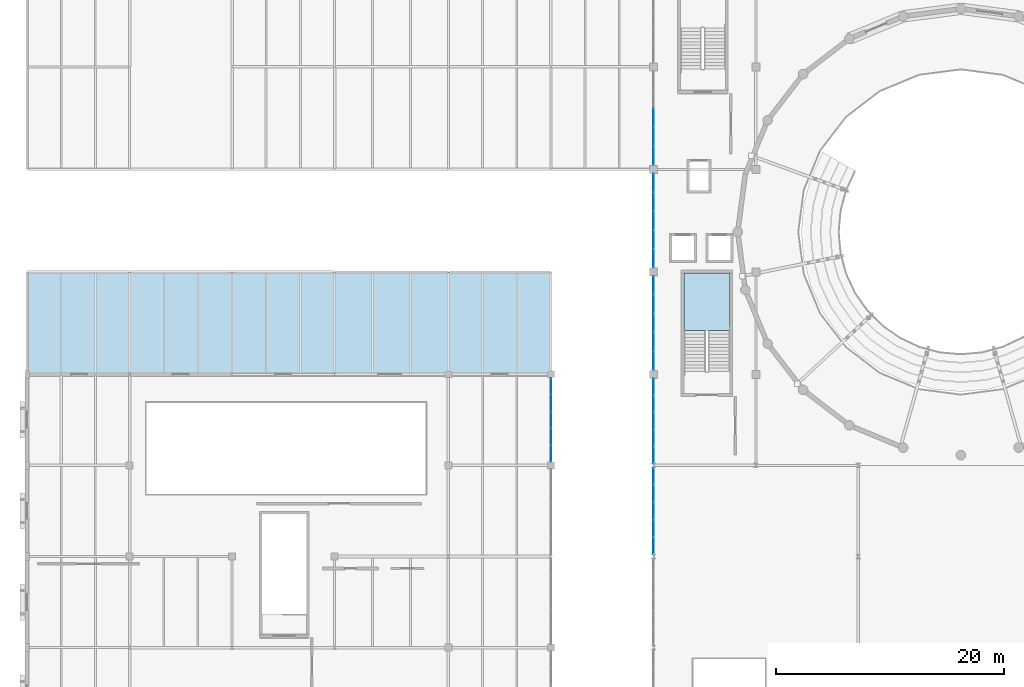
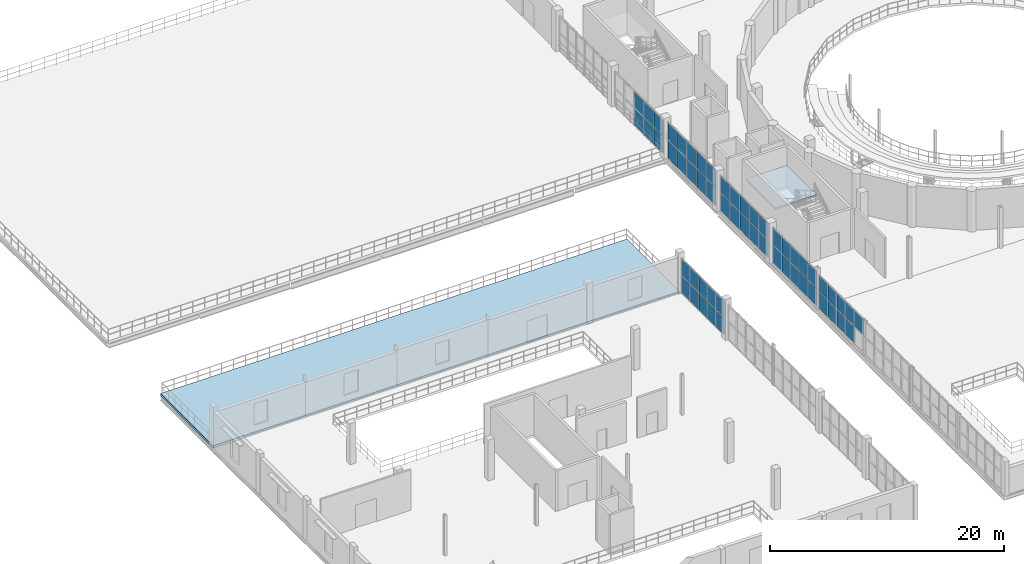
# One storey, part 46 of 73: 55 plates, 2 slabs, 7 elements without a shape of their own.
"""IFC4 building model written with IfcOpenShell, lengths in metres."""

from ifc_helpers import new_model, si_unit, direction, frame, origin, origin_2d, place, context, subcontext, project, spatial, polyline, rectangle, outline, extrude, material, layer, layer_set, type_object, element, aggregate, save


model = new_model("IFC4")

# Units and contexts
model_context = context("Model", 3, precision=1e-05, world=origin(), true_north=direction((0.0, 1.0)))
body_context = subcontext(model_context, "Body", "Model", "MODEL_VIEW")
ifc_project = project(units=[si_unit("LENGTHUNIT", "METRE"), si_unit("AREAUNIT", "SQUARE_METRE"), si_unit("VOLUMEUNIT", "CUBIC_METRE"), si_unit("PLANEANGLEUNIT", "RADIAN"), si_unit("MASSUNIT", "GRAM", prefix="KILO")], contexts=[model_context])

# Site, building, storey
site_placement = place(None, origin())
site = spatial("IfcSite", under=ifc_project, at=site_placement, CompositionType="ELEMENT")
building_placement = place(site_placement, origin())
building = spatial("IfcBuilding", under=site, at=building_placement, Name="Marnock Terrace Opera House", CompositionType="ELEMENT")
storey_placement = place(building_placement, frame((0.0, 0.0, 14.699951171875)))
storey = spatial("IfcBuildingStorey", under=building, at=storey_placement, Name="L03", CompositionType="ELEMENT", Elevation=14.699951171875)

# Curtain wall, plates
ifc_material_1 = material(Name="Anodised architectural bronze aluminium framing", Category="aluminium")
ifc_layer_1 = layer(ifc_material_1, 0.159912109375)
ifc_layer_set_1 = layer_set([ifc_layer_1], Name="Anodised architectural bronze aluminium framing")
curtain_wall_type_1 = type_object("IfcCurtainWallType", Name="CW-FOYER-80x42", PredefinedType="NOTDEFINED", material=ifc_layer_set_1)
curtain_wall_1_placement = place(storey_placement, origin())
curtain_wall_1 = element("IfcCurtainWall", 1, at=curtain_wall_1_placement, inside=storey, type_object=curtain_wall_type_1, Name="L03 glazed Beaux-Arts colonnade curtain wall CW-V1W-L03-04", PredefinedType="NOTDEFINED")
ifc_material_2 = material(Name="Double-glazed acoustic low-E laminated glass", Category="glass")
ifc_layer_2 = layer(ifc_material_2, 0.028076171875)
ifc_layer_set_2 = layer_set([ifc_layer_2], Name="Double-glazed acoustic low-E laminated glass")
plate_type_1 = type_object("IfcPlateType", Name="CWP-GLZ-28", PredefinedType="CURTAIN_PANEL", material=ifc_layer_set_2)
plate_1_placement = place(storey_placement, frame((55.0, 32.951904296875, 1.8740234375), z_axis=(0.0, 0.0, 1.0), x_axis=(0.0, 1.0, 0.0)))
plate_1 = element("IfcPlate", 2, at=plate_1_placement, type_object=plate_type_1, Name="CW-62 panel 1.2", PredefinedType="CURTAIN_PANEL", context=body_context, shape_type="SweptSolid", body=[
    extrude(rectangle(XDim=1.441650390625, YDim=0.028076171875, at=origin_2d()), origin(), (0.0, 0.0, 1.0), 1.612060546875),
])
plate_2_placement = place(storey_placement, frame((55.0, 34.468505859375, 0.06005859375), z_axis=(0.0, 0.0, 1.0), x_axis=(0.0, 1.0, 0.0)))
plate_2 = element("IfcPlate", 3, at=plate_2_placement, type_object=plate_type_1, Name="CW-62 panel 2.1", PredefinedType="CURTAIN_PANEL", context=body_context, shape_type="SweptSolid", body=[
    extrude(rectangle(XDim=1.4716796875, YDim=0.028076171875, at=origin_2d()), origin(), (0.0, 0.0, 1.0), 1.75390625),
])
plate_3_placement = place(storey_placement, frame((55.0, 34.468505859375, 1.8740234375), z_axis=(0.0, 0.0, 1.0), x_axis=(0.0, 1.0, 0.0)))
plate_3 = element("IfcPlate", 4, at=plate_3_placement, type_object=plate_type_1, Name="CW-62 panel 2.2", PredefinedType="CURTAIN_PANEL", context=body_context, shape_type="SweptSolid", body=[
    extrude(rectangle(XDim=1.4716796875, YDim=0.028076171875, at=origin_2d()), origin(), (0.0, 0.0, 1.0), 1.612060546875),
])
plate_4_placement = place(storey_placement, frame((55.0, 36.0, 0.06005859375), z_axis=(0.0, 0.0, 1.0), x_axis=(0.0, 1.0, 0.0)))
plate_4 = element("IfcPlate", 5, at=plate_4_placement, type_object=plate_type_1, Name="CW-62 panel 3.1", PredefinedType="CURTAIN_PANEL", context=body_context, shape_type="SweptSolid", body=[
    extrude(rectangle(XDim=1.4716796875, YDim=0.028076171875, at=origin_2d()), origin(), (0.0, 0.0, 1.0), 1.75390625),
])
plate_5_placement = place(storey_placement, frame((55.0, 36.0, 1.8740234375), z_axis=(0.0, 0.0, 1.0), x_axis=(0.0, 1.0, 0.0)))
plate_5 = element("IfcPlate", 6, at=plate_5_placement, type_object=plate_type_1, Name="CW-62 panel 3.2", PredefinedType="CURTAIN_PANEL", context=body_context, shape_type="SweptSolid", body=[
    extrude(rectangle(XDim=1.4716796875, YDim=0.028076171875, at=origin_2d()), origin(), (0.0, 0.0, 1.0), 1.612060546875),
])
plate_6_placement = place(storey_placement, frame((55.0, 37.531494140625, 0.06005859375), z_axis=(0.0, 0.0, 1.0), x_axis=(0.0, 1.0, 0.0)))
plate_6 = element("IfcPlate", 7, at=plate_6_placement, type_object=plate_type_1, Name="CW-62 panel 4.1", PredefinedType="CURTAIN_PANEL", context=body_context, shape_type="SweptSolid", body=[
    extrude(rectangle(XDim=1.4716796875, YDim=0.028076171875, at=origin_2d()), origin(), (0.0, 0.0, 1.0), 1.75390625),
])
plate_7_placement = place(storey_placement, frame((55.0, 37.531494140625, 1.8740234375), z_axis=(0.0, 0.0, 1.0), x_axis=(0.0, 1.0, 0.0)))
plate_7 = element("IfcPlate", 8, at=plate_7_placement, type_object=plate_type_1, Name="CW-62 panel 4.2", PredefinedType="CURTAIN_PANEL", context=body_context, shape_type="SweptSolid", body=[
    extrude(rectangle(XDim=1.4716796875, YDim=0.028076171875, at=origin_2d()), origin(), (0.0, 0.0, 1.0), 1.612060546875),
])
plate_8_placement = place(storey_placement, frame((55.0, 39.048095703125, 0.06005859375), z_axis=(0.0, 0.0, 1.0), x_axis=(0.0, 1.0, 0.0)))
plate_8 = element("IfcPlate", 9, at=plate_8_placement, type_object=plate_type_1, Name="CW-62 panel 5.1", PredefinedType="CURTAIN_PANEL", context=body_context, shape_type="SweptSolid", body=[
    extrude(rectangle(XDim=1.441650390625, YDim=0.028076171875, at=origin_2d()), origin(), (0.0, 0.0, 1.0), 1.75390625),
])
plate_9_placement = place(storey_placement, frame((55.0, 39.048095703125, 1.8740234375), z_axis=(0.0, 0.0, 1.0), x_axis=(0.0, 1.0, 0.0)))
plate_9 = element("IfcPlate", 10, at=plate_9_placement, type_object=plate_type_1, Name="CW-62 panel 5.2", PredefinedType="CURTAIN_PANEL", context=body_context, shape_type="SweptSolid", body=[
    extrude(rectangle(XDim=1.441650390625, YDim=0.028076171875, at=origin_2d()), origin(), (0.0, 0.0, 1.0), 1.612060546875),
])
aggregate(curtain_wall_1, [plate_1, plate_2, plate_3, plate_4, plate_5, plate_6, plate_7, plate_8, plate_9])

curtain_wall_2_placement = place(storey_placement, origin())
curtain_wall_2 = element("IfcCurtainWall", 11, at=curtain_wall_2_placement, inside=storey, type_object=curtain_wall_type_1, Name="L03 glazed Beaux-Arts colonnade curtain wall CW-V1W-L03-05", PredefinedType="NOTDEFINED")
plate_10_placement = place(storey_placement, frame((55.0, 40.934326171875, 0.06005859375), z_axis=(0.0, 0.0, 1.0), x_axis=(0.0, 1.0, 0.0)))
plate_10 = element("IfcPlate", 12, at=plate_10_placement, type_object=plate_type_1, Name="CW-62 panel 1.1", PredefinedType="CURTAIN_PANEL", context=body_context, shape_type="SweptSolid", body=[
    extrude(rectangle(XDim=1.406494140625, YDim=0.028076171875, at=origin_2d()), origin(), (0.0, 0.0, 1.0), 1.856201171875),
])
plate_11_placement = place(storey_placement, frame((55.0, 40.934326171875, 1.97607421875), z_axis=(0.0, 0.0, 1.0), x_axis=(0.0, 1.0, 0.0)))
plate_11 = element("IfcPlate", 13, at=plate_11_placement, type_object=plate_type_1, Name="CW-62 panel 1.2", PredefinedType="CURTAIN_PANEL", context=body_context, shape_type="SweptSolid", body=[
    extrude(rectangle(XDim=1.406494140625, YDim=0.028076171875, at=origin_2d()), origin(), (0.0, 0.0, 1.0), 1.706298828125),
])
plate_12_placement = place(storey_placement, frame((55.0, 42.416015625, 0.06005859375), z_axis=(0.0, 0.0, 1.0), x_axis=(0.0, 1.0, 0.0)))
plate_12 = element("IfcPlate", 14, at=plate_12_placement, type_object=plate_type_1, Name="CW-62 panel 2.1", PredefinedType="CURTAIN_PANEL", context=body_context, shape_type="SweptSolid", body=[
    extrude(rectangle(XDim=1.4365234375, YDim=0.028076171875, at=origin_2d()), origin(), (0.0, 0.0, 1.0), 1.856201171875),
])
plate_13_placement = place(storey_placement, frame((55.0, 42.416015625, 1.97607421875), z_axis=(0.0, 0.0, 1.0), x_axis=(0.0, 1.0, 0.0)))
plate_13 = element("IfcPlate", 15, at=plate_13_placement, type_object=plate_type_1, Name="CW-62 panel 2.2", PredefinedType="CURTAIN_PANEL", context=body_context, shape_type="SweptSolid", body=[
    extrude(rectangle(XDim=1.4365234375, YDim=0.028076171875, at=origin_2d()), origin(), (0.0, 0.0, 1.0), 1.706298828125),
])
plate_14_placement = place(storey_placement, frame((55.0, 43.91259765625, 0.06005859375), z_axis=(0.0, 0.0, 1.0), x_axis=(0.0, 1.0, 0.0)))
plate_14 = element("IfcPlate", 16, at=plate_14_placement, type_object=plate_type_1, Name="CW-62 panel 3.1", PredefinedType="CURTAIN_PANEL", context=body_context, shape_type="SweptSolid", body=[
    extrude(rectangle(XDim=1.4365234375, YDim=0.028076171875, at=origin_2d()), origin(), (0.0, 0.0, 1.0), 1.856201171875),
])
plate_15_placement = place(storey_placement, frame((55.0, 43.91259765625, 1.97607421875), z_axis=(0.0, 0.0, 1.0), x_axis=(0.0, 1.0, 0.0)))
plate_15 = element("IfcPlate", 17, at=plate_15_placement, type_object=plate_type_1, Name="CW-62 panel 3.2", PredefinedType="CURTAIN_PANEL", context=body_context, shape_type="SweptSolid", body=[
    extrude(rectangle(XDim=1.4365234375, YDim=0.028076171875, at=origin_2d()), origin(), (0.0, 0.0, 1.0), 1.706298828125),
])
plate_16_placement = place(storey_placement, frame((55.0, 45.4091796875, 0.06005859375), z_axis=(0.0, 0.0, 1.0), x_axis=(0.0, 1.0, 0.0)))
plate_16 = element("IfcPlate", 18, at=plate_16_placement, type_object=plate_type_1, Name="CW-62 panel 4.1", PredefinedType="CURTAIN_PANEL", context=body_context, shape_type="SweptSolid", body=[
    extrude(rectangle(XDim=1.4365234375, YDim=0.028076171875, at=origin_2d()), origin(), (0.0, 0.0, 1.0), 1.856201171875),
])
plate_17_placement = place(storey_placement, frame((55.0, 45.4091796875, 1.97607421875), z_axis=(0.0, 0.0, 1.0), x_axis=(0.0, 1.0, 0.0)))
plate_17 = element("IfcPlate", 19, at=plate_17_placement, type_object=plate_type_1, Name="CW-62 panel 4.2", PredefinedType="CURTAIN_PANEL", context=body_context, shape_type="SweptSolid", body=[
    extrude(rectangle(XDim=1.4365234375, YDim=0.028076171875, at=origin_2d()), origin(), (0.0, 0.0, 1.0), 1.706298828125),
])
plate_18_placement = place(storey_placement, frame((55.0, 46.890625, 0.06005859375), z_axis=(0.0, 0.0, 1.0), x_axis=(0.0, 1.0, 0.0)))
plate_18 = element("IfcPlate", 20, at=plate_18_placement, type_object=plate_type_1, Name="CW-62 panel 5.1", PredefinedType="CURTAIN_PANEL", context=body_context, shape_type="SweptSolid", body=[
    extrude(rectangle(XDim=1.406494140625, YDim=0.028076171875, at=origin_2d()), origin(), (0.0, 0.0, 1.0), 1.856201171875),
])
plate_19_placement = place(storey_placement, frame((55.0, 46.890625, 1.97607421875), z_axis=(0.0, 0.0, 1.0), x_axis=(0.0, 1.0, 0.0)))
plate_19 = element("IfcPlate", 21, at=plate_19_placement, type_object=plate_type_1, Name="CW-62 panel 5.2", PredefinedType="CURTAIN_PANEL", context=body_context, shape_type="SweptSolid", body=[
    extrude(rectangle(XDim=1.406494140625, YDim=0.028076171875, at=origin_2d()), origin(), (0.0, 0.0, 1.0), 1.706298828125),
])
aggregate(curtain_wall_2, [plate_10, plate_11, plate_12, plate_13, plate_14, plate_15, plate_16, plate_17, plate_18, plate_19])

ifc_layer_3 = layer(ifc_material_1, 0.159912109375)
ifc_layer_set_3 = layer_set([ifc_layer_3], Name="Anodised architectural bronze aluminium framing")
curtain_wall_type_2 = type_object("IfcCurtainWallType", Name="CW-FOYER-90x42", PredefinedType="NOTDEFINED", material=ifc_layer_set_3)
curtain_wall_3_placement = place(storey_placement, origin())
curtain_wall_3 = element("IfcCurtainWall", 22, at=curtain_wall_3_placement, inside=storey, type_object=curtain_wall_type_2, Name="L03 glazed Beaux-Arts colonnade curtain wall CW-V1W-L03-06", PredefinedType="NOTDEFINED")
plate_20_placement = place(storey_placement, frame((55.0, 49.19189453125, 0.06005859375), z_axis=(0.0, 0.0, 1.0), x_axis=(0.0, 1.0, 0.0)))
plate_20 = element("IfcPlate", 23, at=plate_20_placement, type_object=plate_type_1, Name="CW-68 panel 1.1", PredefinedType="CURTAIN_PANEL", context=body_context, shape_type="SweptSolid", body=[
    extrude(rectangle(XDim=1.571533203125, YDim=0.028076171875, at=origin_2d()), origin(), (0.0, 0.0, 1.0), 1.856201171875),
])
plate_21_placement = place(storey_placement, frame((55.0, 49.19189453125, 1.97607421875), z_axis=(0.0, 0.0, 1.0), x_axis=(0.0, 1.0, 0.0)))
plate_21 = element("IfcPlate", 24, at=plate_21_placement, type_object=plate_type_1, Name="CW-68 panel 1.2", PredefinedType="CURTAIN_PANEL", context=body_context, shape_type="SweptSolid", body=[
    extrude(rectangle(XDim=1.571533203125, YDim=0.028076171875, at=origin_2d()), origin(), (0.0, 0.0, 1.0), 1.706298828125),
])
plate_22_placement = place(storey_placement, frame((55.0, 50.83837890625, 0.06005859375), z_axis=(0.0, 0.0, 1.0), x_axis=(0.0, 1.0, 0.0)))
plate_22 = element("IfcPlate", 25, at=plate_22_placement, type_object=plate_type_1, Name="CW-68 panel 2.1", PredefinedType="CURTAIN_PANEL", context=body_context, shape_type="SweptSolid", body=[
    extrude(rectangle(XDim=1.6015625, YDim=0.028076171875, at=origin_2d()), origin(), (0.0, 0.0, 1.0), 1.856201171875),
])
plate_23_placement = place(storey_placement, frame((55.0, 50.83837890625, 1.97607421875), z_axis=(0.0, 0.0, 1.0), x_axis=(0.0, 1.0, 0.0)))
plate_23 = element("IfcPlate", 26, at=plate_23_placement, type_object=plate_type_1, Name="CW-68 panel 2.2", PredefinedType="CURTAIN_PANEL", context=body_context, shape_type="SweptSolid", body=[
    extrude(rectangle(XDim=1.6015625, YDim=0.028076171875, at=origin_2d()), origin(), (0.0, 0.0, 1.0), 1.706298828125),
])
plate_24_placement = place(storey_placement, frame((55.0, 52.5, 0.06005859375), z_axis=(0.0, 0.0, 1.0), x_axis=(0.0, 1.0, 0.0)))
plate_24 = element("IfcPlate", 27, at=plate_24_placement, type_object=plate_type_1, Name="CW-68 panel 3.1", PredefinedType="CURTAIN_PANEL", context=body_context, shape_type="SweptSolid", body=[
    extrude(rectangle(XDim=1.6015625, YDim=0.028076171875, at=origin_2d()), origin(), (0.0, 0.0, 1.0), 1.856201171875),
])
plate_25_placement = place(storey_placement, frame((55.0, 52.5, 1.97607421875), z_axis=(0.0, 0.0, 1.0), x_axis=(0.0, 1.0, 0.0)))
plate_25 = element("IfcPlate", 28, at=plate_25_placement, type_object=plate_type_1, Name="CW-68 panel 3.2", PredefinedType="CURTAIN_PANEL", context=body_context, shape_type="SweptSolid", body=[
    extrude(rectangle(XDim=1.6015625, YDim=0.028076171875, at=origin_2d()), origin(), (0.0, 0.0, 1.0), 1.706298828125),
])
plate_26_placement = place(storey_placement, frame((55.0, 54.16162109375, 0.06005859375), z_axis=(0.0, 0.0, 1.0), x_axis=(0.0, 1.0, 0.0)))
plate_26 = element("IfcPlate", 29, at=plate_26_placement, type_object=plate_type_1, Name="CW-68 panel 4.1", PredefinedType="CURTAIN_PANEL", context=body_context, shape_type="SweptSolid", body=[
    extrude(rectangle(XDim=1.6015625, YDim=0.028076171875, at=origin_2d()), origin(), (0.0, 0.0, 1.0), 1.856201171875),
])
plate_27_placement = place(storey_placement, frame((55.0, 54.16162109375, 1.97607421875), z_axis=(0.0, 0.0, 1.0), x_axis=(0.0, 1.0, 0.0)))
plate_27 = element("IfcPlate", 30, at=plate_27_placement, type_object=plate_type_1, Name="CW-68 panel 4.2", PredefinedType="CURTAIN_PANEL", context=body_context, shape_type="SweptSolid", body=[
    extrude(rectangle(XDim=1.6015625, YDim=0.028076171875, at=origin_2d()), origin(), (0.0, 0.0, 1.0), 1.706298828125),
])
plate_28_placement = place(storey_placement, frame((55.0, 55.80810546875, 0.06005859375), z_axis=(0.0, 0.0, 1.0), x_axis=(0.0, 1.0, 0.0)))
plate_28 = element("IfcPlate", 31, at=plate_28_placement, type_object=plate_type_1, Name="CW-68 panel 5.1", PredefinedType="CURTAIN_PANEL", context=body_context, shape_type="SweptSolid", body=[
    extrude(rectangle(XDim=1.571533203125, YDim=0.028076171875, at=origin_2d()), origin(), (0.0, 0.0, 1.0), 1.856201171875),
])
plate_29_placement = place(storey_placement, frame((55.0, 55.80810546875, 1.97607421875), z_axis=(0.0, 0.0, 1.0), x_axis=(0.0, 1.0, 0.0)))
plate_29 = element("IfcPlate", 32, at=plate_29_placement, type_object=plate_type_1, Name="CW-68 panel 5.2", PredefinedType="CURTAIN_PANEL", context=body_context, shape_type="SweptSolid", body=[
    extrude(rectangle(XDim=1.571533203125, YDim=0.028076171875, at=origin_2d()), origin(), (0.0, 0.0, 1.0), 1.706298828125),
])
aggregate(curtain_wall_3, [plate_20, plate_21, plate_22, plate_23, plate_24, plate_25, plate_26, plate_27, plate_28, plate_29])

curtain_wall_4_placement = place(storey_placement, origin())
curtain_wall_4 = element("IfcCurtainWall", 33, at=curtain_wall_4_placement, inside=storey, type_object=curtain_wall_type_2, Name="L03 glazed Beaux-Arts colonnade curtain wall CW-V1W-L03-07", PredefinedType="NOTDEFINED")
plate_30_placement = place(storey_placement, frame((55.0, 58.19189453125, 0.06005859375), z_axis=(0.0, 0.0, 1.0), x_axis=(0.0, 1.0, 0.0)))
plate_30 = element("IfcPlate", 34, at=plate_30_placement, type_object=plate_type_1, Name="CW-68 panel 1.1", PredefinedType="CURTAIN_PANEL", context=body_context, shape_type="SweptSolid", body=[
    extrude(rectangle(XDim=1.571533203125, YDim=0.028076171875, at=origin_2d()), origin(), (0.0, 0.0, 1.0), 1.91943359375),
])
plate_31_placement = place(storey_placement, frame((55.0, 58.19189453125, 2.03955078125), z_axis=(0.0, 0.0, 1.0), x_axis=(0.0, 1.0, 0.0)))
plate_31 = element("IfcPlate", 35, at=plate_31_placement, type_object=plate_type_1, Name="CW-68 panel 1.2", PredefinedType="CURTAIN_PANEL", context=body_context, shape_type="SweptSolid", body=[
    extrude(rectangle(XDim=1.571533203125, YDim=0.028076171875, at=origin_2d()), origin(), (0.0, 0.0, 1.0), 1.764892578125),
])
plate_32_placement = place(storey_placement, frame((55.0, 59.83837890625, 0.06005859375), z_axis=(0.0, 0.0, 1.0), x_axis=(0.0, 1.0, 0.0)))
plate_32 = element("IfcPlate", 36, at=plate_32_placement, type_object=plate_type_1, Name="CW-68 panel 2.1", PredefinedType="CURTAIN_PANEL", context=body_context, shape_type="SweptSolid", body=[
    extrude(rectangle(XDim=1.6015625, YDim=0.028076171875, at=origin_2d()), origin(), (0.0, 0.0, 1.0), 1.91943359375),
])
plate_33_placement = place(storey_placement, frame((55.0, 59.83837890625, 2.03955078125), z_axis=(0.0, 0.0, 1.0), x_axis=(0.0, 1.0, 0.0)))
plate_33 = element("IfcPlate", 37, at=plate_33_placement, type_object=plate_type_1, Name="CW-68 panel 2.2", PredefinedType="CURTAIN_PANEL", context=body_context, shape_type="SweptSolid", body=[
    extrude(rectangle(XDim=1.6015625, YDim=0.028076171875, at=origin_2d()), origin(), (0.0, 0.0, 1.0), 1.764892578125),
])
plate_34_placement = place(storey_placement, frame((55.0, 61.5, 0.06005859375), z_axis=(0.0, 0.0, 1.0), x_axis=(0.0, 1.0, 0.0)))
plate_34 = element("IfcPlate", 38, at=plate_34_placement, type_object=plate_type_1, Name="CW-68 panel 3.1", PredefinedType="CURTAIN_PANEL", context=body_context, shape_type="SweptSolid", body=[
    extrude(rectangle(XDim=1.6015625, YDim=0.028076171875, at=origin_2d()), origin(), (0.0, 0.0, 1.0), 1.91943359375),
])
plate_35_placement = place(storey_placement, frame((55.0, 61.5, 2.03955078125), z_axis=(0.0, 0.0, 1.0), x_axis=(0.0, 1.0, 0.0)))
plate_35 = element("IfcPlate", 39, at=plate_35_placement, type_object=plate_type_1, Name="CW-68 panel 3.2", PredefinedType="CURTAIN_PANEL", context=body_context, shape_type="SweptSolid", body=[
    extrude(rectangle(XDim=1.6015625, YDim=0.028076171875, at=origin_2d()), origin(), (0.0, 0.0, 1.0), 1.764892578125),
])
plate_36_placement = place(storey_placement, frame((55.0, 63.16162109375, 0.06005859375), z_axis=(0.0, 0.0, 1.0), x_axis=(0.0, 1.0, 0.0)))
plate_36 = element("IfcPlate", 40, at=plate_36_placement, type_object=plate_type_1, Name="CW-68 panel 4.1", PredefinedType="CURTAIN_PANEL", context=body_context, shape_type="SweptSolid", body=[
    extrude(rectangle(XDim=1.6015625, YDim=0.028076171875, at=origin_2d()), origin(), (0.0, 0.0, 1.0), 1.91943359375),
])
plate_37_placement = place(storey_placement, frame((55.0, 63.16162109375, 2.03955078125), z_axis=(0.0, 0.0, 1.0), x_axis=(0.0, 1.0, 0.0)))
plate_37 = element("IfcPlate", 41, at=plate_37_placement, type_object=plate_type_1, Name="CW-68 panel 4.2", PredefinedType="CURTAIN_PANEL", context=body_context, shape_type="SweptSolid", body=[
    extrude(rectangle(XDim=1.6015625, YDim=0.028076171875, at=origin_2d()), origin(), (0.0, 0.0, 1.0), 1.764892578125),
])
plate_38_placement = place(storey_placement, frame((55.0, 64.80810546875, 0.06005859375), z_axis=(0.0, 0.0, 1.0), x_axis=(0.0, 1.0, 0.0)))
plate_38 = element("IfcPlate", 42, at=plate_38_placement, type_object=plate_type_1, Name="CW-68 panel 5.1", PredefinedType="CURTAIN_PANEL", context=body_context, shape_type="SweptSolid", body=[
    extrude(rectangle(XDim=1.571533203125, YDim=0.028076171875, at=origin_2d()), origin(), (0.0, 0.0, 1.0), 1.91943359375),
])
plate_39_placement = place(storey_placement, frame((55.0, 64.80810546875, 2.03955078125), z_axis=(0.0, 0.0, 1.0), x_axis=(0.0, 1.0, 0.0)))
plate_39 = element("IfcPlate", 43, at=plate_39_placement, type_object=plate_type_1, Name="CW-68 panel 5.2", PredefinedType="CURTAIN_PANEL", context=body_context, shape_type="SweptSolid", body=[
    extrude(rectangle(XDim=1.571533203125, YDim=0.028076171875, at=origin_2d()), origin(), (0.0, 0.0, 1.0), 1.764892578125),
])
aggregate(curtain_wall_4, [plate_30, plate_31, plate_32, plate_33, plate_34, plate_35, plate_36, plate_37, plate_38, plate_39])

ifc_layer_4 = layer(ifc_material_1, 0.159912109375)
ifc_layer_set_4 = layer_set([ifc_layer_4], Name="Anodised architectural bronze aluminium framing")
curtain_wall_type_3 = type_object("IfcCurtainWallType", Name="CW-COURT-80x42", PredefinedType="NOTDEFINED", material=ifc_layer_set_4)
curtain_wall_5_placement = place(storey_placement, origin())
curtain_wall_5 = element("IfcCurtainWall", 44, at=curtain_wall_5_placement, inside=storey, type_object=curtain_wall_type_3, Name="L03 glazed Beaux-Arts colonnade curtain wall CW-V3E-L03-05", PredefinedType="NOTDEFINED")
plate_40_placement = place(storey_placement, frame((46.0, 41.0517578125, 0.06005859375), z_axis=(0.0, 0.0, 1.0), x_axis=(0.0, 1.0, 0.0)))
plate_40 = element("IfcPlate", 45, at=plate_40_placement, type_object=plate_type_1, Name="CW-12 panel 1.1", PredefinedType="CURTAIN_PANEL", context=body_context, shape_type="SweptSolid", body=[
    extrude(rectangle(XDim=1.3916015625, YDim=0.028076171875, at=origin_2d()), origin(), (0.0, 0.0, 1.0), 1.8193359375),
])
plate_41_placement = place(storey_placement, frame((46.0, 41.0517578125, 1.939453125), z_axis=(0.0, 0.0, 1.0), x_axis=(0.0, 1.0, 0.0)))
plate_41 = element("IfcPlate", 46, at=plate_41_placement, type_object=plate_type_1, Name="CW-12 panel 1.2", PredefinedType="CURTAIN_PANEL", context=body_context, shape_type="SweptSolid", body=[
    extrude(rectangle(XDim=1.3916015625, YDim=0.028076171875, at=origin_2d()), origin(), (0.0, 0.0, 1.0), 1.672607421875),
])
plate_42_placement = place(storey_placement, frame((46.0, 42.518310546875, 0.06005859375), z_axis=(0.0, 0.0, 1.0), x_axis=(0.0, 1.0, 0.0)))
plate_42 = element("IfcPlate", 47, at=plate_42_placement, type_object=plate_type_1, Name="CW-12 panel 2.1", PredefinedType="CURTAIN_PANEL", context=body_context, shape_type="SweptSolid", body=[
    extrude(rectangle(XDim=1.421630859375, YDim=0.028076171875, at=origin_2d()), origin(), (0.0, 0.0, 1.0), 1.8193359375),
])
plate_43_placement = place(storey_placement, frame((46.0, 42.518310546875, 1.939453125), z_axis=(0.0, 0.0, 1.0), x_axis=(0.0, 1.0, 0.0)))
plate_43 = element("IfcPlate", 48, at=plate_43_placement, type_object=plate_type_1, Name="CW-12 panel 2.2", PredefinedType="CURTAIN_PANEL", context=body_context, shape_type="SweptSolid", body=[
    extrude(rectangle(XDim=1.421630859375, YDim=0.028076171875, at=origin_2d()), origin(), (0.0, 0.0, 1.0), 1.672607421875),
])
plate_44_placement = place(storey_placement, frame((46.0, 44.0, 0.06005859375), z_axis=(0.0, 0.0, 1.0), x_axis=(0.0, 1.0, 0.0)))
plate_44 = element("IfcPlate", 49, at=plate_44_placement, type_object=plate_type_1, Name="CW-12 panel 3.1", PredefinedType="CURTAIN_PANEL", context=body_context, shape_type="SweptSolid", body=[
    extrude(rectangle(XDim=1.421630859375, YDim=0.028076171875, at=origin_2d()), origin(), (0.0, 0.0, 1.0), 1.8193359375),
])
plate_45_placement = place(storey_placement, frame((46.0, 44.0, 1.939453125), z_axis=(0.0, 0.0, 1.0), x_axis=(0.0, 1.0, 0.0)))
plate_45 = element("IfcPlate", 50, at=plate_45_placement, type_object=plate_type_1, Name="CW-12 panel 3.2", PredefinedType="CURTAIN_PANEL", context=body_context, shape_type="SweptSolid", body=[
    extrude(rectangle(XDim=1.421630859375, YDim=0.028076171875, at=origin_2d()), origin(), (0.0, 0.0, 1.0), 1.672607421875),
])
plate_46_placement = place(storey_placement, frame((46.0, 45.481689453125, 0.06005859375), z_axis=(0.0, 0.0, 1.0), x_axis=(0.0, 1.0, 0.0)))
plate_46 = element("IfcPlate", 51, at=plate_46_placement, type_object=plate_type_1, Name="CW-12 panel 4.1", PredefinedType="CURTAIN_PANEL", context=body_context, shape_type="SweptSolid", body=[
    extrude(rectangle(XDim=1.421630859375, YDim=0.028076171875, at=origin_2d()), origin(), (0.0, 0.0, 1.0), 1.8193359375),
])
plate_47_placement = place(storey_placement, frame((46.0, 45.481689453125, 1.939453125), z_axis=(0.0, 0.0, 1.0), x_axis=(0.0, 1.0, 0.0)))
plate_47 = element("IfcPlate", 52, at=plate_47_placement, type_object=plate_type_1, Name="CW-12 panel 4.2", PredefinedType="CURTAIN_PANEL", context=body_context, shape_type="SweptSolid", body=[
    extrude(rectangle(XDim=1.421630859375, YDim=0.028076171875, at=origin_2d()), origin(), (0.0, 0.0, 1.0), 1.672607421875),
])
plate_48_placement = place(storey_placement, frame((46.0, 46.9482421875, 0.06005859375), z_axis=(0.0, 0.0, 1.0), x_axis=(0.0, 1.0, 0.0)))
plate_48 = element("IfcPlate", 53, at=plate_48_placement, type_object=plate_type_1, Name="CW-12 panel 5.1", PredefinedType="CURTAIN_PANEL", context=body_context, shape_type="SweptSolid", body=[
    extrude(rectangle(XDim=1.3916015625, YDim=0.028076171875, at=origin_2d()), origin(), (0.0, 0.0, 1.0), 1.8193359375),
])
plate_49_placement = place(storey_placement, frame((46.0, 46.9482421875, 1.939453125), z_axis=(0.0, 0.0, 1.0), x_axis=(0.0, 1.0, 0.0)))
plate_49 = element("IfcPlate", 54, at=plate_49_placement, type_object=plate_type_1, Name="CW-12 panel 5.2", PredefinedType="CURTAIN_PANEL", context=body_context, shape_type="SweptSolid", body=[
    extrude(rectangle(XDim=1.3916015625, YDim=0.028076171875, at=origin_2d()), origin(), (0.0, 0.0, 1.0), 1.672607421875),
])
aggregate(curtain_wall_5, [plate_40, plate_41, plate_42, plate_43, plate_44, plate_45, plate_46, plate_47, plate_48, plate_49])

curtain_wall_6_placement = place(storey_placement, origin())
curtain_wall_6 = element("IfcCurtainWall", 55, at=curtain_wall_6_placement, inside=storey, type_object=curtain_wall_type_2, Name="L03 glazed Beaux-Arts colonnade curtain wall CW-V1W-L03-08", PredefinedType="NOTDEFINED")
ifc_layer_5 = layer(ifc_material_1, 0.035888671875)
ifc_layer_set_5 = layer_set([ifc_layer_5], Name="Anodised architectural bronze aluminium framing")
plate_type_2 = type_object("IfcPlateType", Name="CWP-SPAND-36", PredefinedType="CURTAIN_PANEL", material=ifc_layer_set_5)
plate_50_placement = place(storey_placement, frame((55.0, 67.19189453125, 0.06005859375), z_axis=(0.0, 0.0, 1.0), x_axis=(0.0, 1.0, 0.0)))
plate_50 = element("IfcPlate", 56, at=plate_50_placement, type_object=plate_type_2, Name="CW-68 panel 1.1", PredefinedType="CURTAIN_PANEL", context=body_context, shape_type="SweptSolid", body=[
    extrude(rectangle(XDim=1.571533203125, YDim=0.028076171875, at=origin_2d()), origin(), (0.0, 0.0, 1.0), 1.79150390625),
])
plate_51_placement = place(storey_placement, frame((55.0, 67.19189453125, 1.91162109375), z_axis=(0.0, 0.0, 1.0), x_axis=(0.0, 1.0, 0.0)))
plate_51 = element("IfcPlate", 57, at=plate_51_placement, type_object=plate_type_2, Name="CW-68 panel 1.2", PredefinedType="CURTAIN_PANEL", context=body_context, shape_type="SweptSolid", body=[
    extrude(rectangle(XDim=1.571533203125, YDim=0.028076171875, at=origin_2d()), origin(), (0.0, 0.0, 1.0), 1.646484375),
])
plate_52_placement = place(storey_placement, frame((55.0, 68.83837890625, 0.06005859375), z_axis=(0.0, 0.0, 1.0), x_axis=(0.0, 1.0, 0.0)))
plate_52 = element("IfcPlate", 58, at=plate_52_placement, type_object=plate_type_2, Name="CW-68 panel 2.1", PredefinedType="CURTAIN_PANEL", context=body_context, shape_type="SweptSolid", body=[
    extrude(rectangle(XDim=1.6015625, YDim=0.028076171875, at=origin_2d()), origin(), (0.0, 0.0, 1.0), 1.79150390625),
])
plate_53_placement = place(storey_placement, frame((55.0, 68.83837890625, 1.91162109375), z_axis=(0.0, 0.0, 1.0), x_axis=(0.0, 1.0, 0.0)))
plate_53 = element("IfcPlate", 59, at=plate_53_placement, type_object=plate_type_2, Name="CW-68 panel 2.2", PredefinedType="CURTAIN_PANEL", context=body_context, shape_type="SweptSolid", body=[
    extrude(rectangle(XDim=1.6015625, YDim=0.028076171875, at=origin_2d()), origin(), (0.0, 0.0, 1.0), 1.646484375),
])
plate_54_placement = place(storey_placement, frame((55.0, 70.5, 0.06005859375), z_axis=(0.0, 0.0, 1.0), x_axis=(0.0, 1.0, 0.0)))
plate_54 = element("IfcPlate", 60, at=plate_54_placement, type_object=plate_type_2, Name="CW-68 panel 3.1", PredefinedType="CURTAIN_PANEL", context=body_context, shape_type="SweptSolid", body=[
    extrude(rectangle(XDim=1.6015625, YDim=0.028076171875, at=origin_2d()), origin(), (0.0, 0.0, 1.0), 1.79150390625),
])
plate_55_placement = place(storey_placement, frame((55.0, 70.5, 1.91162109375), z_axis=(0.0, 0.0, 1.0), x_axis=(0.0, 1.0, 0.0)))
plate_55 = element("IfcPlate", 61, at=plate_55_placement, type_object=plate_type_2, Name="CW-68 panel 3.2", PredefinedType="CURTAIN_PANEL", context=body_context, shape_type="SweptSolid", body=[
    extrude(rectangle(XDim=1.6015625, YDim=0.028076171875, at=origin_2d()), origin(), (0.0, 0.0, 1.0), 1.646484375),
])
aggregate(curtain_wall_6, [plate_50, plate_51, plate_52, plate_53, plate_54, plate_55])

# Stair, slab
ifc_material_3 = material(Name="Concrete N40 (f'c = 40 MPa)", Category="concrete")
stair_type = type_object("IfcStairType", Name="ST-TYPE-2600", PredefinedType="HALF_TURN_STAIR", material=ifc_material_3)
stair_placement = place(storey_placement, origin())
stair = element("IfcStair", 62, at=stair_placement, inside=storey, type_object=stair_type, Name="L03 ST-01", PredefinedType="HALF_TURN_STAIR")
ifc_material_4 = material(Name="Concrete N32 (f'c = 32 MPa)", Category="concrete")
ifc_layer_6 = layer(ifc_material_4, 0.199951171875)
ifc_layer_set_6 = layer_set([ifc_layer_6], Name="Concrete N32 (f'c = 32 MPa)")
slab_type_1 = type_object("IfcSlabType", Name="SL-LAND-200", PredefinedType="LANDING", material=ifc_layer_set_6)
slab_1_placement = place(storey_placement, frame((0.0, 0.0, 2.050048828125)))
slab_1 = element("IfcSlab", 63, at=slab_1_placement, type_object=slab_type_1, Name="ST-01 landing 1", PredefinedType="LANDING", context=body_context, shape_type="SweptSolid", body=[
    extrude(outline(polyline([(61.719970703125, 51.840087890625), (61.719970703125, 56.919921875), (57.679931640625, 56.919921875), (57.679931640625, 51.840087890625), (61.719970703125, 51.840087890625)])), origin(), (0.0, 0.0, 1.0), 0.199951171875),
])
aggregate(stair, [slab_1])

# Slab
ifc_layer_7 = layer(ifc_material_3, 0.27001953125)
ifc_layer_set_7 = layer_set([ifc_layer_7], Name="Concrete N40 (f'c = 40 MPa)")
slab_type_2 = type_object("IfcSlabType", Name="SL-TERR-270", PredefinedType="ROOF", material=ifc_layer_set_7)
slab_2_placement = place(storey_placement, frame((0.0, 0.0, -0.27001953125)))
element("IfcSlab", 64, at=slab_2_placement, inside=storey, type_object=slab_type_2, Name="planted roof garden terrace slab SL-TERR-L03-V3", PredefinedType="ROOF", context=body_context, shape_type="SweptSolid", body=[
    extrude(outline(polyline([(0.0, 48.0), (46.0, 48.0), (46.0, 57.0), (0.0, 57.0), (0.0, 48.0)])), origin(), (0.0, 0.0, 1.0), 0.27001953125),
])

save(model, "model.ifc")
